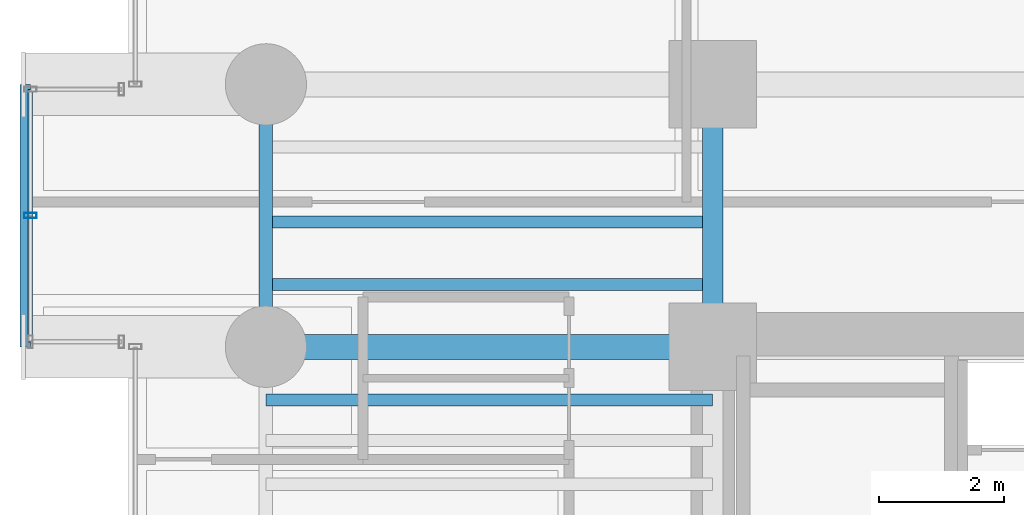
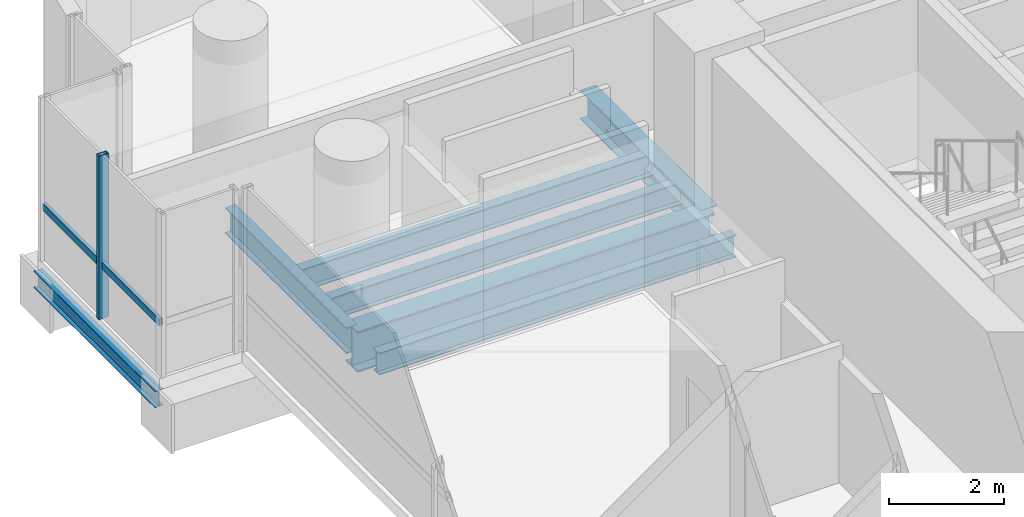
# One storey, part 11 of 41: 7 beams, 2 members, 1 element without a shape of its own.
"""IFC4 building model written with IfcOpenShell, lengths in metres."""

from ifc_helpers import new_model, si_unit, direction, frame, origin, origin_2d, place, context, subcontext, project, spatial, hollow_rectangle, i_section, extrude, source, transform, mapped, material, material_profile, profile_set, type_object, element, aggregate, save


model = new_model("IFC4")

# Units and contexts
model_context = context("Model", 3, precision=1e-05, world=origin(), true_north=direction((0.0, 1.0)))
body_context = subcontext(model_context, "Body", "Model", "MODEL_VIEW")
ifc_project = project(units=[si_unit("LENGTHUNIT", "METRE"), si_unit("AREAUNIT", "SQUARE_METRE"), si_unit("VOLUMEUNIT", "CUBIC_METRE"), si_unit("PLANEANGLEUNIT", "RADIAN"), si_unit("MASSUNIT", "GRAM", prefix="KILO")], contexts=[model_context])

# Site, building, storey
site_placement = place(None, origin())
site = spatial("IfcSite", under=ifc_project, at=site_placement, CompositionType="ELEMENT")
building_placement = place(site_placement, origin())
building = spatial("IfcBuilding", under=site, at=building_placement, Name="Valdorenza Pilgrim Sanctuary Tower", CompositionType="ELEMENT")
storey_placement = place(building_placement, frame((0.0, 0.0, 85.199951171875)))
storey = spatial("IfcBuildingStorey", under=building, at=storey_placement, Name="L21", CompositionType="ELEMENT", Elevation=85.199951171875)

# Beams
ifc_material_1 = material(Name="Steel ASTM A992 Grade 50", Category="steel")
ifc_material_profile_1 = material_profile(ifc_material_1, i_section(OverallWidth=0.214111328125, OverallDepth=0.549072265625, WebThickness=0.0146484375, FlangeThickness=0.023681640625, at=origin_2d()), Name="W21X93")
ifc_profile_set_1 = profile_set([ifc_material_profile_1], Name="Steel ASTM A992 Grade 50")
beam_type_1 = type_object("IfcBeamType", Name="STR-BM-SPN-W21A", PredefinedType="SPANDREL", material=ifc_profile_set_1)
shared_shape_1 = source(origin(), body_context, "Body", "SweptSolid", [
    extrude(i_section(OverallWidth=0.214111328125, OverallDepth=0.549072265625, WebThickness=0.0146484375, FlangeThickness=0.023681640625, at=origin_2d()), origin(), (0.0, 0.0, 1.0), 4.199951171875),
])
beam_1_placement = place(storey_placement, frame((-29.800048828125, 10.60009765625, -0.514404296875), z_axis=(0.0, 1.0, 0.0), x_axis=(-1.0, 0.0, 0.0)))
element("IfcBeam", 1, at=beam_1_placement, inside=storey, type_object=beam_type_1, Name="L21 Spandrel Beam WA-W-N1N2", PredefinedType="SPANDREL", context=body_context, shape_type="MappedRepresentation", body=[
    mapped(shared_shape_1, transform((0.0, 0.0, 0.0), x_axis=(1.0, 0.0, 0.0), y_axis=(0.0, 1.0, 0.0), z_axis=(0.0, 0.0, 1.0), scale=1.0)),
])
ifc_material_profile_2 = material_profile(ifc_material_1, i_section(OverallWidth=0.323974609375, OverallDepth=0.611083984375, WebThickness=0.0126953125, FlangeThickness=0.01904296875, at=origin_2d()), Name="W24X104")
ifc_profile_set_2 = profile_set([ifc_material_profile_2], Name="Steel ASTM A992 Grade 50")
beam_type_2 = type_object("IfcBeamType", Name="STR-BM-GRD-W24B", PredefinedType="BEAM", material=ifc_profile_set_2)
shared_shape_2 = source(origin(), body_context, "Body", "SweptSolid", [
    extrude(i_section(OverallWidth=0.323974609375, OverallDepth=0.611083984375, WebThickness=0.0126953125, FlangeThickness=0.01904296875, at=origin_2d()), origin(), (0.0, 0.0, 1.0), 4.199951171875),
])
beam_2_placement = place(storey_placement, frame((-22.64990234375, 10.60009765625, -0.54541015625), z_axis=(0.0, 1.0, 0.0), x_axis=(-1.0, 0.0, 0.0)))
element("IfcBeam", 2, at=beam_2_placement, inside=storey, type_object=beam_type_2, Name="L21 Core Tie Girder CA-W-N1N2", PredefinedType="BEAM", context=body_context, shape_type="MappedRepresentation", body=[
    mapped(shared_shape_2, transform((0.0, 0.0, 0.0), x_axis=(1.0, 0.0, 0.0), y_axis=(0.0, 1.0, 0.0), z_axis=(0.0, 0.0, 1.0), scale=1.0)),
])
ifc_material_profile_3 = material_profile(ifc_material_1, i_section(OverallWidth=0.193115234375, OverallDepth=0.466064453125, WebThickness=0.011474609375, FlangeThickness=0.01904296875, at=origin_2d()), Name="W18X65")
ifc_profile_set_3 = profile_set([ifc_material_profile_3], Name="Steel ASTM A992 Grade 50")
beam_type_3 = type_object("IfcBeamType", Name="STR-BM-JST-W18A", PredefinedType="JOIST", material=ifc_profile_set_3)
shared_shape_3 = source(origin(), body_context, "Body", "SweptSolid", [
    extrude(i_section(OverallWidth=0.193115234375, OverallDepth=0.466064453125, WebThickness=0.011474609375, FlangeThickness=0.01904296875, at=origin_2d()), origin(), (0.0, 0.0, 1.0), 7.150146484375),
])
for number, where, z_axis, x_axis, name in (
    (3, (-29.800048828125, 9.75, -0.472900390625), (1.0, 0.0, 0.0), (0.0, 1.0, 0.0), "L21 Composite Floor Joist JST-WA-23"),
    (4, (-29.800048828125, 11.60009765625, -0.472900390625), (1.0, 0.0, 0.0), (0.0, 1.0, 0.0), "L21 Composite Floor Joist JST-WA-24"),
    (5, (-29.800048828125, 12.60009765625, -0.472900390625), (1.0, 0.0, 0.0), (0.0, 1.0, 0.0), "L21 Composite Floor Joist JST-WA-25"),
):
    element("IfcBeam", number, at=place(storey_placement, frame(where, z_axis=z_axis, x_axis=x_axis)), inside=storey, type_object=beam_type_3, Name=name, PredefinedType="JOIST", context=body_context, shape_type="MappedRepresentation", body=[
        mapped(shared_shape_3, transform((0.0, 0.0, 0.0), x_axis=(1.0, 0.0, 0.0), y_axis=(0.0, 1.0, 0.0), z_axis=(0.0, 0.0, 1.0), scale=1.0)),
    ])
ifc_material_profile_4 = material_profile(ifc_material_1, i_section(OverallWidth=0.39990234375, OverallDepth=0.862060546875, WebThickness=0.019775390625, FlangeThickness=0.032470703125, at=origin_2d()), Name="W33X221")
ifc_profile_set_4 = profile_set([ifc_material_profile_4], Name="Steel ASTM A992 Grade 50")
beam_type_4 = type_object("IfcBeamType", Name="STR-BM-GRD-W33", PredefinedType="BEAM", material=ifc_profile_set_4)
shared_shape_4 = source(origin(), body_context, "Body", "SweptSolid", [
    extrude(i_section(OverallWidth=0.39990234375, OverallDepth=0.862060546875, WebThickness=0.019775390625, FlangeThickness=0.032470703125, at=origin_2d()), origin(), (0.0, 0.0, 1.0), 7.150146484375),
])
beam_3_placement = place(storey_placement, frame((-29.800048828125, 10.60009765625, -0.6708984375), z_axis=(1.0, 0.0, 0.0), x_axis=(0.0, 1.0, 0.0)))
element("IfcBeam", 6, at=beam_3_placement, inside=storey, type_object=beam_type_4, Name="L21 Floor Girder WA-XW-N1", PredefinedType="BEAM", context=body_context, shape_type="MappedRepresentation", body=[
    mapped(shared_shape_4, transform((0.0, 0.0, 0.0), x_axis=(1.0, 0.0, 0.0), y_axis=(0.0, 1.0, 0.0), z_axis=(0.0, 0.0, 1.0), scale=1.0)),
])
ifc_material_profile_5 = material_profile(ifc_material_1, i_section(OverallWidth=0.1708984375, OverallDepth=0.35107421875, WebThickness=0.0068359375, FlangeThickness=0.009765625, at=origin_2d()), Name="W14X30")
ifc_profile_set_5 = profile_set([ifc_material_profile_5], Name="Steel ASTM A992 Grade 50")
beam_type_5 = type_object("IfcBeamType", Name="STR-BM-BOX-W14", PredefinedType="BEAM", material=ifc_profile_set_5)
shared_shape_5 = source(origin(), body_context, "Body", "SweptSolid", [
    extrude(i_section(OverallWidth=0.1708984375, OverallDepth=0.35107421875, WebThickness=0.0068359375, FlangeThickness=0.009765625, at=origin_2d()), origin(), (0.0, 0.0, 1.0), 4.199951171875),
])
beam_4_placement = place(storey_placement, frame((-33.64990234375, 10.60009765625, -0.41552734375), z_axis=(0.0, 1.0, 0.0), x_axis=(-1.0, 0.0, 0.0)))
element("IfcBeam", 7, at=beam_4_placement, inside=storey, type_object=beam_type_5, Name="L21 Glass Box Edge Beam BOX-WA-L21-F", PredefinedType="BEAM", context=body_context, shape_type="MappedRepresentation", body=[
    mapped(shared_shape_5, transform((0.0, 0.0, 0.0), x_axis=(1.0, 0.0, 0.0), y_axis=(0.0, 1.0, 0.0), z_axis=(0.0, 0.0, 1.0), scale=1.0)),
])

# Curtain wall, members
ifc_material_2 = material(Name="Curtain-wall IGU glazing", Category="glass")
curtain_wall_type = type_object("IfcCurtainWallType", Name="CW-SYS-02", PredefinedType="NOTDEFINED", material=ifc_material_2)
curtain_wall_placement = place(storey_placement, origin())
curtain_wall = element("IfcCurtainWall", 8, at=curtain_wall_placement, inside=storey, type_object=curtain_wall_type, Name="L21 Curtain Wall CW-L21-BOX-WA-L21-F", PredefinedType="NOTDEFINED")
ifc_material_3 = material(Name="Anodised aluminium AW-6060", Category="aluminium")
ifc_material_profile_6 = material_profile(ifc_material_3, hollow_rectangle(XDim=0.0849609375, YDim=0.199951171875, WallThickness=0.0048828125, at=origin_2d()), Name="ALU-M 200x85x5")
ifc_profile_set_6 = profile_set([ifc_material_profile_6], Name="Anodised aluminium AW-6060")
member_type_1 = type_object("IfcMemberType", Name="CW-MUL-02", PredefinedType="MULLION", material=ifc_profile_set_6)
shared_shape_6 = source(origin(), body_context, "Body", "SweptSolid", [
    extrude(hollow_rectangle(XDim=0.0849609375, YDim=0.199951171875, WallThickness=0.0048828125, at=origin_2d()), origin(), (0.0, 0.0, 1.0), 3.4599609375),
])
member_1_placement = place(storey_placement, frame((-33.570068359375, 12.699951171875, 0.0), z_axis=(0.0, 0.0, 1.0), x_axis=(0.0, 1.0, 0.0)))
member_1 = element("IfcMember", 9, at=member_1_placement, type_object=member_type_1, Name="CW-L21-BOX-WA-L21-F Mullion 2", PredefinedType="MULLION", context=body_context, shape_type="MappedRepresentation", body=[
    mapped(shared_shape_6, transform((0.0, 0.0, 0.0), x_axis=(1.0, 0.0, 0.0), y_axis=(0.0, 1.0, 0.0), z_axis=(0.0, 0.0, 1.0), scale=1.0)),
])
ifc_material_profile_7 = material_profile(ifc_material_3, hollow_rectangle(XDim=0.074951171875, YDim=0.14990234375, WallThickness=0.00390625, at=origin_2d()), Name="ALU-T 150x75x4")
ifc_profile_set_7 = profile_set([ifc_material_profile_7], Name="Anodised aluminium AW-6060")
member_type_2 = type_object("IfcMemberType", Name="CW-TRN-02", PredefinedType="USERDEFINED", material=ifc_profile_set_7)
shared_shape_7 = source(origin(), body_context, "Body", "SweptSolid", [
    extrude(hollow_rectangle(XDim=0.074951171875, YDim=0.14990234375, WallThickness=0.00390625, at=origin_2d()), origin(), (0.0, 0.0, 1.0), 4.0400390625),
])
member_2_placement = place(storey_placement, frame((-33.570068359375, 10.679931640625, 1.1201171875), z_axis=(0.0, 1.0, 0.0), x_axis=(-1.0, 0.0, 0.0)))
member_2 = element("IfcMember", 10, at=member_2_placement, type_object=member_type_2, Name="CW-L21-BOX-WA-L21-F Transom 1", ObjectType="TRANSOM", PredefinedType="USERDEFINED", context=body_context, shape_type="MappedRepresentation", body=[
    mapped(shared_shape_7, transform((0.0, 0.0, 0.0), x_axis=(1.0, 0.0, 0.0), y_axis=(0.0, 1.0, 0.0), z_axis=(0.0, 0.0, 1.0), scale=1.0)),
])
aggregate(curtain_wall, [member_1, member_2])

save(model, "model.ifc")
